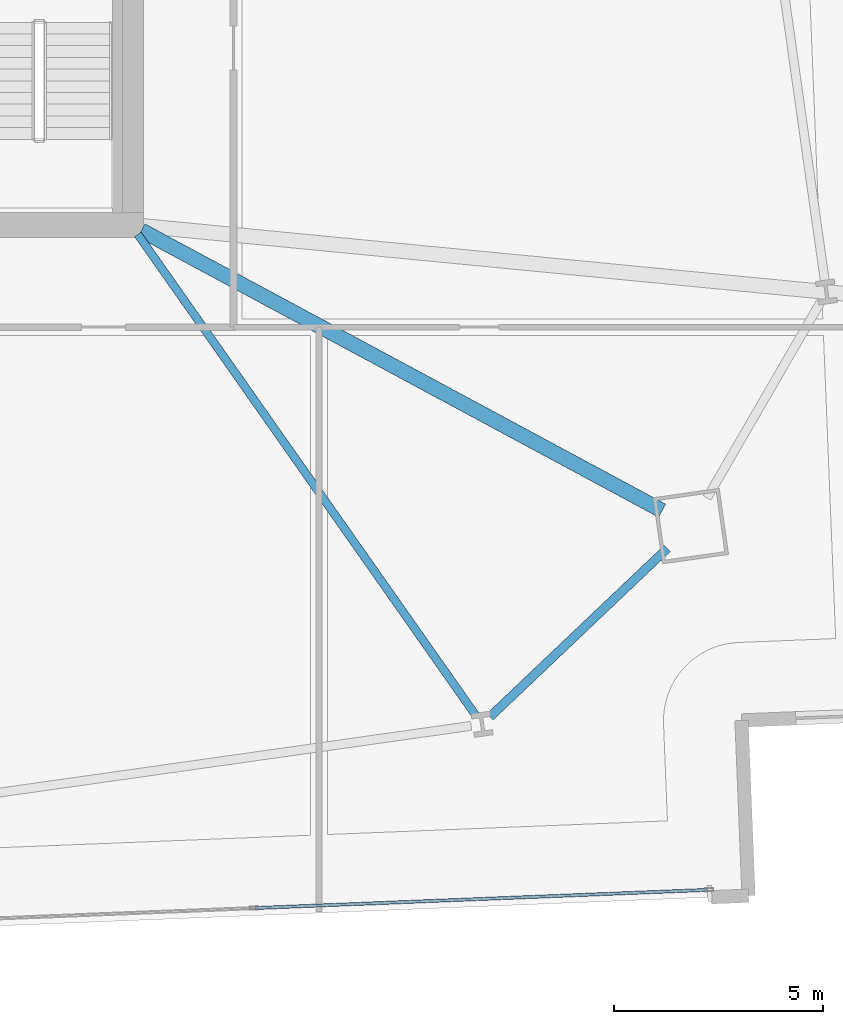
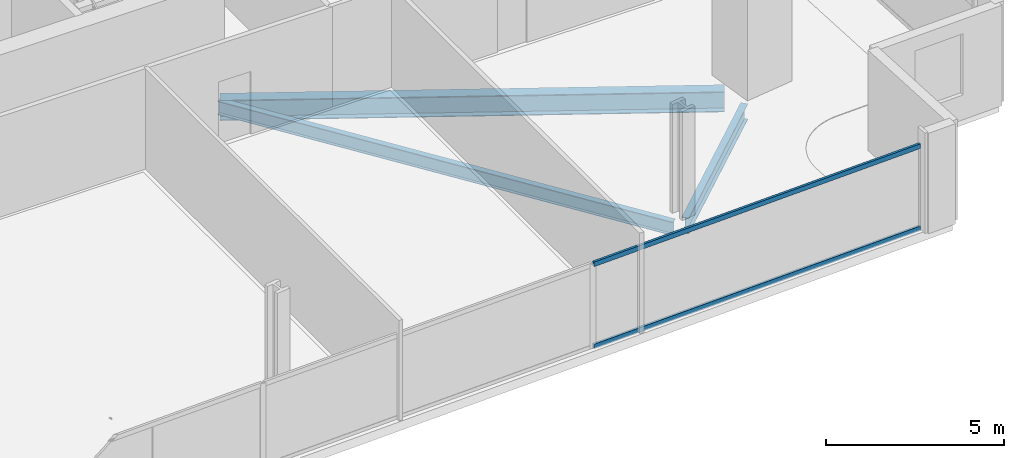
# One storey, part 10 of 32: 3 beams, 2 members, 1 element without a shape of its own.
"""IFC4 building model written with IfcOpenShell, lengths in metres."""

from ifc_helpers import new_model, si_unit, direction, frame, origin, origin_2d, place, context, subcontext, project, spatial, hollow_rectangle, i_section, extrude, material, material_profile, profile_set, type_object, element, aggregate, save


model = new_model("IFC4")

# Units and contexts
model_context = context("Model", 3, precision=1e-05, world=origin(), true_north=direction((0.0, 1.0)))
body_context = subcontext(model_context, "Body", "Model", "MODEL_VIEW")
ifc_project = project(units=[si_unit("LENGTHUNIT", "METRE"), si_unit("AREAUNIT", "SQUARE_METRE"), si_unit("VOLUMEUNIT", "CUBIC_METRE"), si_unit("PLANEANGLEUNIT", "RADIAN"), si_unit("MASSUNIT", "GRAM", prefix="KILO")], contexts=[model_context])

# Site, building, storey
site_placement = place(None, origin())
site = spatial("IfcSite", under=ifc_project, at=site_placement, CompositionType="ELEMENT")
building_placement = place(site_placement, origin())
building = spatial("IfcBuilding", under=site, at=building_placement, Name="Haldenkirk Collegiate Tower", CompositionType="ELEMENT")
storey_placement = place(building_placement, frame((0.0, 0.0, 36.449951171875)))
storey = spatial("IfcBuildingStorey", under=building, at=storey_placement, Name="L07", CompositionType="ELEMENT", Elevation=36.449951171875)

# Beams
ifc_material_1 = material(Name="Steel ASTM A992 Grade 50", Category="steel")
ifc_material_profile_1 = material_profile(ifc_material_1, i_section(OverallWidth=0.35498046875, OverallDepth=0.696044921875, WebThickness=0.015380859375, FlangeThickness=0.02490234375, at=origin_2d()), Name="W27X146")
ifc_profile_set_1 = profile_set([ifc_material_profile_1], Name="Steel ASTM A992 Grade 50")
beam_type_1 = type_object("IfcBeamType", Name="BM-GIRDER-W27X146", PredefinedType="BEAM", material=ifc_profile_set_1)
beam_1_placement = place(storey_placement, frame((57.71435546875, 11.15673828125, -0.657958984375), z_axis=(-0.880558564783, 0.473937352386, 0.0), x_axis=(-0.473937352386, -0.880558564783, 0.0)))
element("IfcBeam", 1, at=beam_1_placement, inside=storey, type_object=beam_type_1, Name="L07 primary floor girder 02", PredefinedType="BEAM", context=body_context, shape_type="SweptSolid", body=[
    extrude(i_section(OverallWidth=0.35498046875, OverallDepth=0.696044921875, WebThickness=0.015380859375, FlangeThickness=0.02490234375, at=origin_2d()), origin(), (0.0, 0.0, 1.0), 14.158935546875),
])
ifc_material_profile_2 = material_profile(ifc_material_1, i_section(OverallWidth=0.19189453125, OverallDepth=0.462890625, WebThickness=0.010498046875, FlangeThickness=0.017578125, at=origin_2d()), Name="W18X60")
ifc_profile_set_2 = profile_set([ifc_material_profile_2], Name="Steel ASTM A992 Grade 50")
beam_type_2 = type_object("IfcBeamType", Name="BM-JOIST-W18X60", PredefinedType="JOIST", material=ifc_profile_set_2)
beam_2_placement = place(storey_placement, frame((53.25048828125, 6.256591796875, -0.54150390625), z_axis=(-0.574869236657, 0.818245293751, 0.0), x_axis=(-0.818245293751, -0.574869236657, 0.0)))
element("IfcBeam", 2, at=beam_2_placement, inside=storey, type_object=beam_type_2, Name="L07 composite floor joist 07", PredefinedType="JOIST", context=body_context, shape_type="SweptSolid", body=[
    extrude(i_section(OverallWidth=0.19189453125, OverallDepth=0.462890625, WebThickness=0.010498046875, FlangeThickness=0.017578125, at=origin_2d()), origin(), (0.0, 0.0, 1.0), 14.072021484375),
])
ifc_material_profile_3 = material_profile(ifc_material_1, i_section(OverallWidth=0.2119140625, OverallDepth=0.5439453125, WebThickness=0.01318359375, FlangeThickness=0.021240234375, at=origin_2d()), Name="W21X83")
ifc_profile_set_3 = profile_set([ifc_material_profile_3], Name="Steel ASTM A992 Grade 50")
beam_type_3 = type_object("IfcBeamType", Name="BM-SPANDREL-W21X83", PredefinedType="SPANDREL", material=ifc_profile_set_3)
beam_3_placement = place(storey_placement, frame((53.594482421875, 6.222412109375, -0.58203125), z_axis=(0.725113023209, 0.688629874151, 0.0), x_axis=(-0.688629874151, 0.725113023209, 0.0)))
element("IfcBeam", 3, at=beam_3_placement, inside=storey, type_object=beam_type_3, Name="L07 perimeter spandrel beam 04", PredefinedType="SPANDREL", context=body_context, shape_type="SweptSolid", body=[
    extrude(i_section(OverallWidth=0.2119140625, OverallDepth=0.5439453125, WebThickness=0.01318359375, FlangeThickness=0.021240234375, at=origin_2d()), origin(), (0.0, 0.0, 1.0), 5.8486328125),
])

# Curtain wall, members
ifc_material_2 = material(Name="Anodised architectural bronze aluminium", Category="aluminium")
curtain_wall_type = type_object("IfcCurtainWallType", Name="CW-SYS2-CONCAVE", PredefinedType="USERDEFINED", material=ifc_material_2)
curtain_wall_placement = place(storey_placement, origin())
curtain_wall = element("IfcCurtainWall", 4, at=curtain_wall_placement, inside=storey, type_object=curtain_wall_type, Name="L07 South concave recessed bronze-anodised curtain wall", ObjectType="UNITISED CURTAIN WALL", PredefinedType="USERDEFINED")
ifc_material_profile_4 = material_profile(ifc_material_2, hollow_rectangle(XDim=0.074951171875, YDim=0.159912109375, WallThickness=0.0048828125, at=origin_2d()), Name="CW-TRN-02")
ifc_profile_set_4 = profile_set([ifc_material_profile_4], Name="Anodised architectural bronze aluminium")
member_type = type_object("IfcMemberType", Name="CW-TRN-02", PredefinedType="USERDEFINED", material=ifc_profile_set_4)
member_1_placement = place(storey_placement, frame((58.803466796875, 2.075927734375, 0.03759765625), z_axis=(-0.999193926063, -0.040143469197, 0.0), x_axis=(0.040143469197, -0.999193926063, 0.0)))
member_1 = element("IfcMember", 5, at=member_1_placement, type_object=member_type, Name="CW-02 transom 1.1", ObjectType="TRANSOM", PredefinedType="USERDEFINED", context=body_context, shape_type="SweptSolid", body=[
    extrude(hollow_rectangle(XDim=0.074951171875, YDim=0.159912109375, WallThickness=0.0048828125, at=origin_2d()), origin(), (0.0, 0.0, 1.0), 10.837646484375),
])
member_2_placement = place(storey_placement, frame((58.803466796875, 2.075927734375, 2.853515625), z_axis=(-0.999193926063, -0.040143469197, 0.0), x_axis=(0.040143469197, -0.999193926063, 0.0)))
member_2 = element("IfcMember", 6, at=member_2_placement, type_object=member_type, Name="CW-02 transom 1.2", ObjectType="TRANSOM", PredefinedType="USERDEFINED", context=body_context, shape_type="SweptSolid", body=[
    extrude(hollow_rectangle(XDim=0.074951171875, YDim=0.159912109375, WallThickness=0.0048828125, at=origin_2d()), origin(), (0.0, 0.0, 1.0), 10.837646484375),
])
aggregate(curtain_wall, [member_1, member_2])

save(model, "model.ifc")
